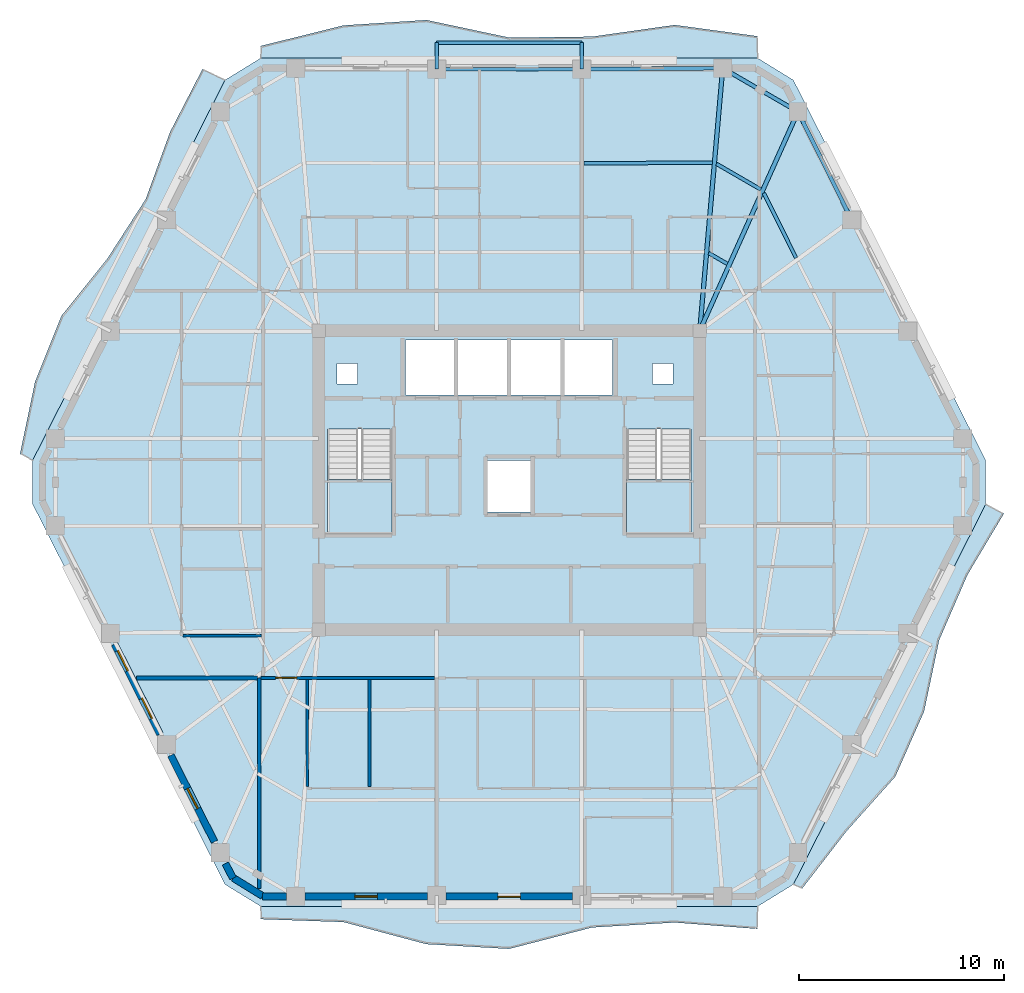
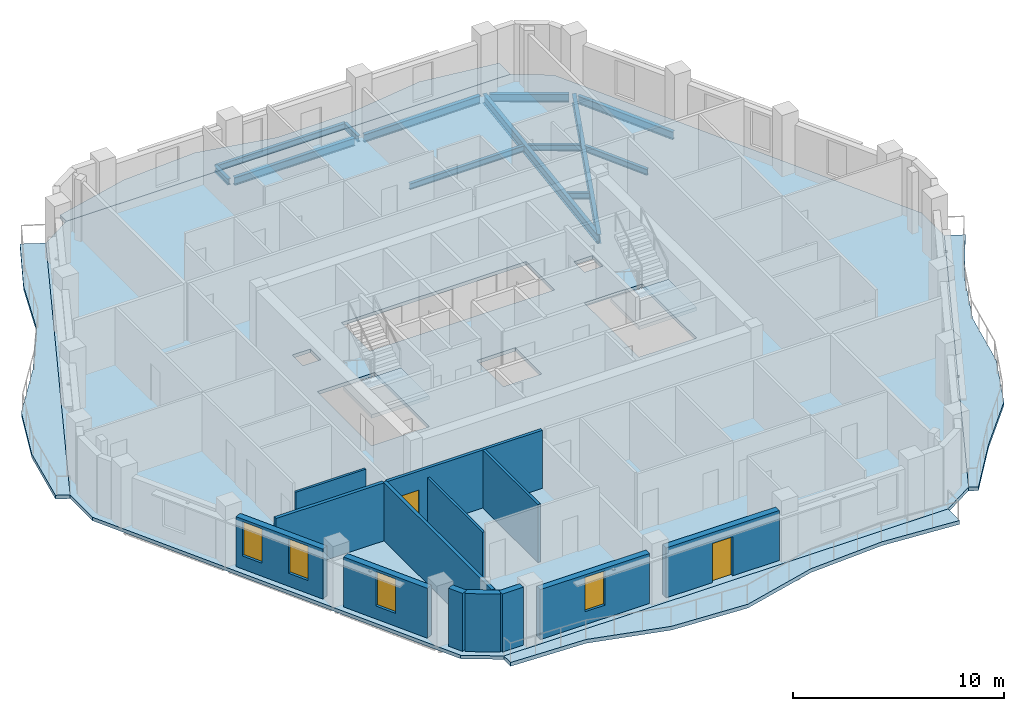
# One storey, part 3 of 11: 13 beams, 13 walls, 7 slabs, 4 windows, 2 doors, 6 openings, 2 elements without a shape of their own.
"""IFC4 building model written with IfcOpenShell, lengths in metres."""

from ifc_helpers import new_model, si_unit, direction, frame, frame_2d, origin, origin_2d, place, context, subcontext, project, spatial, polyline, rectangle, i_section, outline, extrude, material, layer, layer_set, material_profile, profile_set, type_object, element, fill, aggregate, save


model = new_model("IFC4")

# Units and contexts
model_context = context("Model", 3, precision=1e-05, world=origin(), true_north=direction((0.0, 1.0)))
body_context = subcontext(model_context, "Body", "Model", "MODEL_VIEW")
ifc_project = project(units=[si_unit("LENGTHUNIT", "METRE"), si_unit("AREAUNIT", "SQUARE_METRE"), si_unit("VOLUMEUNIT", "CUBIC_METRE"), si_unit("PLANEANGLEUNIT", "RADIAN"), si_unit("MASSUNIT", "GRAM", prefix="KILO")], contexts=[model_context])

# Site, building, storey
site_placement = place(None, origin())
site = spatial("IfcSite", under=ifc_project, at=site_placement, CompositionType="ELEMENT")
building_placement = place(site_placement, origin())
building = spatial("IfcBuilding", under=site, at=building_placement, Name="Cinnabar Lancet Tower", CompositionType="ELEMENT")
storey_placement = place(building_placement, frame((0.0, 0.0, 182.550048828125)))
storey = spatial("IfcBuildingStorey", under=building, at=storey_placement, Name="L48", CompositionType="ELEMENT", Elevation=182.550048828125)

# Beams
ifc_material_1 = material(Name="Structural steel S355", Category="steel")
ifc_material_profile_1 = material_profile(ifc_material_1, i_section(OverallWidth=0.17138671875, OverallDepth=0.35498046875, WebThickness=0.00732421875, FlangeThickness=0.011474609375, FilletRadius=0.01025390625, at=origin_2d()), Name="UKB 356x171x51")
ifc_profile_set_1 = profile_set([ifc_material_profile_1], Name="Structural steel S355")
beam_type_1 = type_object("IfcBeamType", Name="STR-BM-JST-356", PredefinedType="JOIST", material=ifc_profile_set_1)
beam_1_placement = place(storey_placement, frame((46.40087890625, 36.75, -0.3779296875), z_axis=(-0.444780091128, 0.895639810714, 0.0), x_axis=(-0.895639810714, -0.444780091128, 0.0)))
element("IfcBeam", 1, at=beam_1_placement, inside=storey, type_object=beam_type_1, Name="L48 Secondary Floor Joist 29", PredefinedType="JOIST", context=body_context, shape_type="SweptSolid", body=[
    extrude(i_section(OverallWidth=0.17138671875, OverallDepth=0.35498046875, WebThickness=0.00732421875, FlangeThickness=0.011474609375, FilletRadius=0.01025390625, at=origin_2d()), origin(), (0.0, 0.0, 1.0), 3.533935546875),
])
beam_2_placement = place(storey_placement, frame((44.677978515625, 40.089111328125, -0.3779296875), z_axis=(-0.865267839663, 0.501309849937, 0.0), x_axis=(-0.501309849937, -0.865267839663, 0.0)))
element("IfcBeam", 2, at=beam_2_placement, inside=storey, type_object=beam_type_1, Name="L48 Secondary Floor Joist 31", PredefinedType="JOIST", context=body_context, shape_type="SweptSolid", body=[
    extrude(i_section(OverallWidth=0.17138671875, OverallDepth=0.35498046875, WebThickness=0.00732421875, FlangeThickness=0.011474609375, FilletRadius=0.01025390625, at=origin_2d()), origin(), (0.0, 0.0, 1.0), 2.497314453125),
])
beam_3_placement = place(storey_placement, frame((43.047119140625, 36.45703125, -0.3779296875), z_axis=(-0.8651881055, 0.501447446998, 0.0), x_axis=(-0.501447446998, -0.8651881055, 0.0)))
element("IfcBeam", 3, at=beam_3_placement, inside=storey, type_object=beam_type_1, Name="L48 Secondary Floor Joist 32", PredefinedType="JOIST", context=body_context, shape_type="SweptSolid", body=[
    extrude(i_section(OverallWidth=0.17138671875, OverallDepth=0.35498046875, WebThickness=0.00732421875, FlangeThickness=0.011474609375, FilletRadius=0.01025390625, at=origin_2d()), origin(), (0.0, 0.0, 1.0), 1.05322265625),
])
beam_4_placement = place(storey_placement, frame((42.31201171875, 41.39794921875, -0.3779296875), z_axis=(-0.999986965561, -0.005105752523, 0.0), x_axis=(0.005105752523, -0.999986965561, 0.0)))
element("IfcBeam", 4, at=beam_4_placement, inside=storey, type_object=beam_type_1, Name="L48 Secondary Floor Joist 33", PredefinedType="JOIST", context=body_context, shape_type="SweptSolid", body=[
    extrude(i_section(OverallWidth=0.17138671875, OverallDepth=0.35498046875, WebThickness=0.00732421875, FlangeThickness=0.011474609375, FilletRadius=0.01025390625, at=origin_2d()), origin(), (0.0, 0.0, 1.0), 6.263916015625),
])
ifc_material_2 = material(Name="Structural steel S355", Category="steel")
ifc_material_profile_2 = material_profile(ifc_material_2, i_section(OverallWidth=0.1904296875, OverallDepth=0.45703125, WebThickness=0.009033203125, FlangeThickness=0.014404296875, FilletRadius=0.01025390625, at=origin_2d()), Name="UKB 457x191x74")
ifc_profile_set_2 = profile_set([ifc_material_profile_2], Name="Structural steel S355")
beam_type_2 = type_object("IfcBeamType", Name="STR-BM-SPN-457", PredefinedType="SPANDREL", material=ifc_profile_set_2)
beam_5_placement = place(storey_placement, frame((49.008056640625, 38.822998046875, -0.428955078125), z_axis=(-0.444932986899, 0.895563865489, 0.0), x_axis=(-0.895563865489, -0.444932986899, 0.0)))
element("IfcBeam", 5, at=beam_5_placement, inside=storey, type_object=beam_type_2, Name="L48 Perimeter Spandrel 11", PredefinedType="SPANDREL", context=body_context, shape_type="SweptSolid", body=[
    extrude(i_section(OverallWidth=0.1904296875, OverallDepth=0.45703125, WebThickness=0.009033203125, FlangeThickness=0.014404296875, FilletRadius=0.01025390625, at=origin_2d()), origin(), (0.0, 0.0, 1.0), 5.398681640625),
])
beam_6_placement = place(storey_placement, frame((46.279052734375, 44.007080078125, -0.428955078125), z_axis=(-0.865195717586, 0.501434313016, 0.0), x_axis=(-0.501434313016, -0.865195717586, 0.0)))
element("IfcBeam", 6, at=beam_6_placement, inside=storey, type_object=beam_type_2, Name="L48 Perimeter Spandrel 12", PredefinedType="SPANDREL", context=body_context, shape_type="SweptSolid", body=[
    extrude(i_section(OverallWidth=0.1904296875, OverallDepth=0.45703125, WebThickness=0.009033203125, FlangeThickness=0.014404296875, FilletRadius=0.01025390625, at=origin_2d()), origin(), (0.0, 0.0, 1.0), 3.7470703125),
])
beam_7_placement = place(storey_placement, frame((42.571044921875, 46.009033203125, -0.428955078125), z_axis=(-0.999970401924, -0.007693846685, 0.0), x_axis=(0.007693846685, -0.999970401924, 0.0)))
element("IfcBeam", 7, at=beam_7_placement, inside=storey, type_object=beam_type_2, Name="L48 Perimeter Spandrel 13", PredefinedType="SPANDREL", context=body_context, shape_type="SweptSolid", body=[
    extrude(i_section(OverallWidth=0.1904296875, OverallDepth=0.45703125, WebThickness=0.009033203125, FlangeThickness=0.014404296875, FilletRadius=0.01025390625, at=origin_2d()), origin(), (0.0, 0.0, 1.0), 6.378173828125),
])
beam_8_placement = place(storey_placement, frame((35.693115234375, 45.9580078125, -0.428955078125), z_axis=(-1.0, 0.0, 0.0), x_axis=(0.0, -1.0, 0.0)))
element("IfcBeam", 8, at=beam_8_placement, inside=storey, type_object=beam_type_2, Name="L48 Perimeter Spandrel 14", PredefinedType="SPANDREL", context=body_context, shape_type="SweptSolid", body=[
    extrude(i_section(OverallWidth=0.1904296875, OverallDepth=0.45703125, WebThickness=0.009033203125, FlangeThickness=0.014404296875, FilletRadius=0.01025390625, at=origin_2d()), origin(), (0.0, 0.0, 1.0), 6.586181640625),
])
ifc_material_3 = material(Name="Structural steel S355", Category="steel")
ifc_material_profile_3 = material_profile(ifc_material_3, i_section(OverallWidth=0.209228515625, OverallDepth=0.533203125, WebThickness=0.010009765625, FlangeThickness=0.015625, FilletRadius=0.0126953125, at=origin_2d()), Name="UKB 533x210x92")
ifc_profile_set_3 = profile_set([ifc_material_profile_3], Name="Structural steel S355")
beam_type_3 = type_object("IfcBeamType", Name="STR-BM-UKB533-92", PredefinedType="BEAM", material=ifc_profile_set_3)
beam_9_placement = place(storey_placement, frame((46.4951171875, 43.882080078125, -0.467041015625), z_axis=(-0.409527011626, -0.912297992297, 0.0), x_axis=(0.912297992297, -0.409527011626, 0.0)))
element("IfcBeam", 9, at=beam_9_placement, inside=storey, type_object=beam_type_3, Name="L48 Primary Floor Girder 12", PredefinedType="BEAM", context=body_context, shape_type="SweptSolid", body=[
    extrude(i_section(OverallWidth=0.209228515625, OverallDepth=0.533203125, WebThickness=0.010009765625, FlangeThickness=0.015625, FilletRadius=0.0126953125, at=origin_2d()), origin(), (0.0, 0.0, 1.0), 11.708984375),
])
beam_10_placement = place(storey_placement, frame((42.821044921875, 46.010986328125, -0.467041015625), z_axis=(-0.087176841412, -0.996192851973, 0.0), x_axis=(0.996192851973, -0.087176841412, 0.0)))
element("IfcBeam", 10, at=beam_10_placement, inside=storey, type_object=beam_type_3, Name="L48 Primary Floor Girder 13", PredefinedType="BEAM", context=body_context, shape_type="SweptSolid", body=[
    extrude(i_section(OverallWidth=0.209228515625, OverallDepth=0.533203125, WebThickness=0.010009765625, FlangeThickness=0.015625, FilletRadius=0.0126953125, at=origin_2d()), origin(), (0.0, 0.0, 1.0), 12.860107421875),
])
ifc_material_4 = material(Name="Structural steel S355", Category="steel")
ifc_material_profile_4 = material_profile(ifc_material_4, i_section(OverallWidth=0.17138671875, OverallDepth=0.35498046875, WebThickness=0.00732421875, FlangeThickness=0.011474609375, FilletRadius=0.01025390625, at=origin_2d()), Name="UKB 356x171x51")
ifc_profile_set_4 = profile_set([ifc_material_profile_4], Name="Structural steel S355")
beam_type_4 = type_object("IfcBeamType", Name="STR-BM-WAV-OUT", PredefinedType="BEAM", material=ifc_profile_set_4)
for number, where, z_axis, x_axis, name in (
    (11, (35.943115234375, 45.9580078125, -0.39697265625), (0.0, 1.0, 0.0), (-1.0, 0.0, 0.0), "L48 Face 4 Balcony Outlooker A"),
    (12, (28.85693359375, 45.9580078125, -0.39697265625), (0.0, 1.0, 0.0), (-1.0, 0.0, 0.0), "L48 Face 4 Balcony Outlooker B"),
):
    element("IfcBeam", number, at=place(storey_placement, frame(where, z_axis=z_axis, x_axis=x_axis)), inside=storey, type_object=beam_type_4, Name=name, PredefinedType="BEAM", context=body_context, shape_type="SweptSolid", body=[
        extrude(i_section(OverallWidth=0.17138671875, OverallDepth=0.35498046875, WebThickness=0.00732421875, FlangeThickness=0.011474609375, FilletRadius=0.01025390625, at=origin_2d()), origin(), (0.0, 0.0, 1.0), 1.300048828125),
    ])
ifc_material_5 = material(Name="Structural steel S355", Category="steel")
ifc_material_profile_5 = material_profile(ifc_material_5, i_section(OverallWidth=0.17138671875, OverallDepth=0.35498046875, WebThickness=0.00732421875, FlangeThickness=0.011474609375, FilletRadius=0.01025390625, at=origin_2d()), Name="UKB 356x171x51")
ifc_profile_set_5 = profile_set([ifc_material_profile_5], Name="Structural steel S355")
beam_type_5 = type_object("IfcBeamType", Name="STR-BM-WAV-TRIM", PredefinedType="SPANDREL", material=ifc_profile_set_5)
beam_11_placement = place(storey_placement, frame((35.943115234375, 47.258056640625, -0.39697265625), z_axis=(-1.0, 0.0, 0.0), x_axis=(0.0, -1.0, 0.0)))
element("IfcBeam", 13, at=beam_11_placement, inside=storey, type_object=beam_type_5, Name="L48 Face 4 Balcony Edge Trimmer", PredefinedType="SPANDREL", context=body_context, shape_type="SweptSolid", body=[
    extrude(i_section(OverallWidth=0.17138671875, OverallDepth=0.35498046875, WebThickness=0.00732421875, FlangeThickness=0.011474609375, FilletRadius=0.01025390625, at=origin_2d()), origin(), (0.0, 0.0, 1.0), 7.086181640625),
])

# Stair, slab
ifc_material_6 = material(Name="Concrete C40/50", Category="concrete")
stair_type = type_object("IfcStairType", Name="ST-CORE", PredefinedType="HALF_TURN_STAIR", material=ifc_material_6)
stair_1_placement = place(storey_placement, origin())
stair_1 = element("IfcStair", 14, at=stair_1_placement, inside=storey, type_object=stair_type, Name="L48 ST-1", PredefinedType="HALF_TURN_STAIR")
ifc_material_7 = material(Name="Concrete C40/50", Category="concrete")
ifc_layer_1 = layer(ifc_material_7, 0.199951171875)
ifc_layer_set_1 = layer_set([ifc_layer_1], Name="Concrete C40/50")
slab_type_1 = type_object("IfcSlabType", Name="LANDING-CORE", PredefinedType="LANDING", material=ifc_layer_set_1)
slab_1_placement = place(storey_placement, frame((0.0, 0.0, 1.574951171875)))
slab_1 = element("IfcSlab", 15, at=slab_1_placement, type_object=slab_type_1, Name="ST-1 landing 1", PredefinedType="LANDING", context=body_context, shape_type="SweptSolid", body=[
    extrude(outline(polyline([(23.52490234375, 25.925048828125), (23.52490234375, 23.25), (26.675048828125, 23.25), (26.675048828125, 25.925048828125), (23.52490234375, 25.925048828125)])), origin(), (0.0, 0.0, 1.0), 0.199951171875),
])
aggregate(stair_1, [slab_1])

stair_2_placement = place(storey_placement, origin())
stair_2 = element("IfcStair", 16, at=stair_2_placement, inside=storey, type_object=stair_type, Name="L48 ST-2", PredefinedType="HALF_TURN_STAIR")
slab_2_placement = place(storey_placement, frame((0.0, 0.0, 1.574951171875)))
slab_2 = element("IfcSlab", 17, at=slab_2_placement, type_object=slab_type_1, Name="ST-2 landing 1", PredefinedType="LANDING", context=body_context, shape_type="SweptSolid", body=[
    extrude(outline(polyline([(38.125, 25.925048828125), (38.125, 23.25), (41.27490234375, 23.25), (41.27490234375, 25.925048828125), (38.125, 25.925048828125)])), origin(), (0.0, 0.0, 1.0), 0.199951171875),
])
aggregate(stair_2, [slab_2])

# Slabs
ifc_material_8 = material(Name="Concrete C40/50", Category="concrete")
ifc_layer_2 = layer(ifc_material_8, 0.199951171875)
ifc_layer_set_2 = layer_set([ifc_layer_2], Name="Concrete C40/50")
slab_type_2 = type_object("IfcSlabType", Name="STR-SLB-FLR-200", PredefinedType="FLOOR", material=ifc_layer_set_2)
slab_3_placement = place(storey_placement, frame((0.0, 0.0, -0.199951171875)))
element("IfcSlab", 18, at=slab_3_placement, inside=storey, type_object=slab_type_2, Name="L48 Structural Floor Slab", PredefinedType="FLOOR", context=body_context, shape_type="SweptSolid", body=[
    extrude(outline(polyline([(18.530029296875, 6.1708984375), (20.27197265625, 5.10009765625), (44.528076171875, 5.10009765625), (46.27001953125, 6.1708984375), (55.657958984375, 24.72900390625), (55.657958984375, 26.87109375), (46.27001953125, 45.428955078125), (44.528076171875, 46.5), (20.27197265625, 46.5), (18.530029296875, 45.428955078125), (9.14208984375, 26.87109375), (9.14208984375, 24.72900390625), (18.530029296875, 6.1708984375)]), holes=[polyline([(23.52490234375, 23.25), (26.675048828125, 23.25), (26.675048828125, 28.3994140625), (23.52490234375, 28.3994140625), (23.52490234375, 23.25)]), polyline([(38.125, 23.25), (41.27490234375, 23.25), (41.27490234375, 28.3994140625), (38.125, 28.3994140625), (38.125, 23.25)]), polyline([(27.35009765625, 30.050048828125), (37.449951171875, 30.050048828125), (37.449951171875, 32.75), (27.35009765625, 32.75), (27.35009765625, 30.050048828125)]), polyline([(31.35009765625, 24.35009765625), (33.449951171875, 24.35009765625), (33.449951171875, 26.85009765625), (31.35009765625, 26.85009765625), (31.35009765625, 24.35009765625)]), polyline([(24.0, 30.60009765625), (25.0, 30.60009765625), (25.0, 31.60009765625), (24.0, 31.60009765625), (24.0, 30.60009765625)]), polyline([(39.39990234375, 30.60009765625), (40.39990234375, 30.60009765625), (40.39990234375, 31.60009765625), (39.39990234375, 31.60009765625), (39.39990234375, 30.60009765625)])]), origin(), (0.0, 0.0, 1.0), 0.199951171875),
])
ifc_material_9 = material(Name="Concrete C45/55", Category="concrete")
ifc_layer_3 = layer(ifc_material_9, 0.219970703125)
ifc_layer_set_3 = layer_set([ifc_layer_3], Name="Concrete C45/55")
slab_type_3 = type_object("IfcSlabType", Name="STR-SLB-WAV-220", PredefinedType="FLOOR", material=ifc_layer_set_3)
slab_4_placement = place(storey_placement, frame((0.0, 0.0, -0.219970703125)))
element("IfcSlab", 19, at=slab_4_placement, inside=storey, type_object=slab_type_3, Name="L48 Face 1 Undulating Wave Balcony Slab", PredefinedType="FLOOR", context=body_context, shape_type="SweptSolid", body=[
    extrude(outline(polyline([(20.27197265625, 5.10009765625), (20.27197265625, 4.47607421875), (24.31494140625, 4.333984375), (28.35693359375, 3.256103515625), (32.39990234375, 3.02490234375), (36.443115234375, 4.069091796875), (40.485107421875, 4.31201171875), (44.528076171875, 4.0009765625), (44.528076171875, 5.10009765625), (20.27197265625, 5.10009765625)])), origin(), (0.0, 0.0, 1.0), 0.219970703125),
])
slab_5_placement = place(storey_placement, frame((0.0, 0.0, -0.219970703125)))
element("IfcSlab", 20, at=slab_5_placement, inside=storey, type_object=slab_type_3, Name="L48 Face 2 Undulating Wave Balcony Slab", PredefinedType="FLOOR", context=body_context, shape_type="SweptSolid", body=[
    extrude(outline(polyline([(46.27001953125, 6.1708984375), (46.68896484375, 5.958984375), (48.84912109375, 8.7509765625), (51.239013671875, 11.426025390625), (52.64501953125, 14.60009765625), (53.389892578125, 18.10693359375), (54.77197265625, 21.29296875), (56.550048828125, 24.278076171875), (55.657958984375, 24.72900390625), (46.27001953125, 6.1708984375)])), origin(), (0.0, 0.0, 1.0), 0.219970703125),
])
slab_6_placement = place(storey_placement, frame((0.0, 0.0, -0.219970703125)))
element("IfcSlab", 21, at=slab_6_placement, inside=storey, type_object=slab_type_3, Name="L48 Face 4 Undulating Wave Balcony Slab", PredefinedType="FLOOR", context=body_context, shape_type="SweptSolid", body=[
    extrude(outline(polyline([(44.528076171875, 46.5), (44.528076171875, 47.569091796875), (40.485107421875, 48.118896484375), (36.443115234375, 47.548095703125), (32.39990234375, 47.5029296875), (28.35693359375, 48.361083984375), (24.31494140625, 48.096923828125), (20.27197265625, 47.093994140625), (20.27197265625, 46.5), (44.528076171875, 46.5)])), origin(), (0.0, 0.0, 1.0), 0.219970703125),
])
slab_7_placement = place(storey_placement, frame((0.0, 0.0, -0.219970703125)))
element("IfcSlab", 22, at=slab_7_placement, inside=storey, type_object=slab_type_3, Name="L48 Face 5 Undulating Wave Balcony Slab", PredefinedType="FLOOR", context=body_context, shape_type="SweptSolid", body=[
    extrude(outline(polyline([(18.530029296875, 45.428955078125), (17.43896484375, 45.98095703125), (15.85107421875, 42.89990234375), (14.659912109375, 39.617919921875), (12.77099609375, 36.68896484375), (10.552001953125, 33.927001953125), (9.257080078125, 30.697021484375), (8.52392578125, 27.18408203125), (9.14208984375, 26.87109375), (18.530029296875, 45.428955078125)])), origin(), (0.0, 0.0, 1.0), 0.219970703125),
])

# Wall, opening, door
ifc_material_10 = material(Name="Acoustic twin-stud gypsum partition", Category="gypsum")
ifc_layer_4 = layer(ifc_material_10, 0.159912109375)
ifc_layer_set_4 = layer_set([ifc_layer_4], Name="Acoustic twin-stud gypsum partition")
wall_type_1 = type_object("IfcWallType", Name="ARC-WL-CORR-160", PredefinedType="PARTITIONING", material=ifc_layer_set_4)
wall_1_placement = place(storey_placement, frame((20.294921875, 16.25, 0.0), z_axis=(0.0, 0.0, 1.0), x_axis=(1.0, 0.0, 0.0)))
wall_1 = element("IfcWall", 23, at=wall_1_placement, inside=storey, type_object=wall_type_1, Name="L48 Unit S01 Corridor Wall", PredefinedType="PARTITIONING", context=body_context, shape_type="SweptSolid", body=[
    extrude(rectangle(XDim=8.467041015625, YDim=0.159912109375, at=frame_2d((4.2333984375, 0.0))), origin(), (0.0, 0.0, 1.0), 3.349853515625),
])
opening_1_placement = place(wall_1_placement, frame((0.705078125, 0.0, 0.0)))
opening_1 = element("IfcOpeningElement", 24, at=opening_1_placement, cuts=wall_1, Name="Opening UD-01", PredefinedType="OPENING", context=body_context, shape_type="SweptSolid", body=[
    extrude(rectangle(XDim=1.02001953125, YDim=2.25, at=frame_2d((0.510009765625, 1.125))), frame((0.0, 0.08984375, 0.0), z_axis=(0.0, -1.0, 0.0), x_axis=(1.0, 0.0, 0.0)), (0.0, 0.0, 1.0), 0.179931640625),
])
ifc_material_11 = material(Name="Solid timber fire-rated apartment entrance door", Category="wood")
door_type_1 = type_object("IfcDoorType", Name="ARC-DR-UNIT", OperationType="NOTDEFINED", PredefinedType="DOOR", material=ifc_material_11)
door_1_placement = place(opening_1_placement, origin())
door_1 = element("IfcDoor", 25, at=door_1_placement, inside=storey, type_object=door_type_1, Name="DR-L48-S01-ENT", OperationType="SINGLE_SWING_RIGHT", OverallHeight=2.25, OverallWidth=1.02001953125, PredefinedType="DOOR", context=body_context, shape_type="SweptSolid", body=[
    extrude(rectangle(XDim=1.02001953125, YDim=2.25, at=frame_2d((0.510009765625, 1.125))), frame((0.0, 0.02490234375, 0.0), z_axis=(0.0, -1.0, 0.0), x_axis=(1.0, 0.0, 0.0)), (0.0, 0.0, 1.0), 0.050048828125),
])
fill(opening_1, door_1)

# Walls
ifc_material_12 = material(Name="Fire-rated twin-frame acoustic drywall", Category="gypsum")
ifc_layer_5 = layer(ifc_material_12, 0.179931640625)
ifc_layer_set_5 = layer_set([ifc_layer_5], Name="Fire-rated twin-frame acoustic drywall")
wall_type_2 = type_object("IfcWallType", Name="ARC-WL-PARTY-180", PredefinedType="PARTITIONING", material=ifc_layer_set_5)
wall_2_placement = place(storey_placement, frame((20.199951171875, 5.968017578125, 0.0), z_axis=(0.0, 0.0, 1.0), x_axis=(0.0, 1.0, 0.0)))
element("IfcWall", 26, at=wall_2_placement, inside=storey, type_object=wall_type_2, Name="PW-L48-SPTY-202", PredefinedType="PARTITIONING", context=body_context, shape_type="SweptSolid", body=[
    extrude(rectangle(XDim=10.281982421875, YDim=0.179931640625, at=frame_2d((5.14111328125, 0.0))), origin(), (0.0, 0.0, 1.0), 3.349853515625),
])
wall_3_placement = place(storey_placement, frame((14.2109375, 16.25, 0.0), z_axis=(0.0, 0.0, 1.0), x_axis=(1.0, 0.0, 0.0)))
element("IfcWall", 27, at=wall_3_placement, inside=storey, type_object=wall_type_2, Name="PW-L48-WSB", PredefinedType="PARTITIONING", context=body_context, shape_type="SweptSolid", body=[
    extrude(rectangle(XDim=5.89404296875, YDim=0.179931640625, at=frame_2d((2.947021484375, 0.0))), origin(), (0.0, 0.0, 1.0), 3.349853515625),
])
ifc_material_13 = material(Name="Gypsum plasterboard stud partition", Category="gypsum")
ifc_layer_6 = layer(ifc_material_13, 0.125)
ifc_layer_set_6 = layer_set([ifc_layer_6], Name="Gypsum plasterboard stud partition")
wall_type_3 = type_object("IfcWallType", Name="ARC-WL-UNIT-125", PredefinedType="PARTITIONING", material=ifc_layer_set_6)
wall_4_placement = place(storey_placement, frame((22.550048828125, 10.9609375, 0.0), z_axis=(0.0, 0.0, 1.0), x_axis=(0.0, 1.0, 0.0)))
element("IfcWall", 28, at=wall_4_placement, inside=storey, type_object=wall_type_3, Name="UW-L48-S01-FOYE", PredefinedType="PARTITIONING", context=body_context, shape_type="SweptSolid", body=[
    extrude(rectangle(XDim=5.2041015625, YDim=0.125, at=frame_2d((2.60205078125, 0.0))), origin(), (0.0, 0.0, 1.0), 2.806884765625),
])
wall_5_placement = place(storey_placement, frame((16.485107421875, 18.300048828125, 0.0), z_axis=(0.0, 0.0, 1.0), x_axis=(1.0, 0.0, 0.0)))
element("IfcWall", 29, at=wall_5_placement, inside=storey, type_object=wall_type_3, Name="UW-L48-W01-FOYN", PredefinedType="PARTITIONING", context=body_context, shape_type="SweptSolid", body=[
    extrude(rectangle(XDim=3.829833984375, YDim=0.125, at=frame_2d((1.9150390625, 0.0))), origin(), (0.0, 0.0, 1.0), 2.806884765625),
])
ifc_material_14 = material(Name="Moisture-resistant cement-board plumbing wall", Category="masonry")
ifc_layer_7 = layer(ifc_material_14, 0.139892578125)
ifc_layer_set_7 = layer_set([ifc_layer_7], Name="Moisture-resistant cement-board plumbing wall")
wall_type_4 = type_object("IfcWallType", Name="ARC-WL-WET-140", PredefinedType="PLUMBINGWALL", material=ifc_layer_set_7)
wall_6_placement = place(storey_placement, frame((25.576904296875, 10.9609375, 0.0), z_axis=(0.0, 0.0, 1.0), x_axis=(0.0, 1.0, 0.0)))
element("IfcWall", 30, at=wall_6_placement, inside=storey, type_object=wall_type_4, Name="UW-L48-S01-KDV", PredefinedType="PLUMBINGWALL", context=body_context, shape_type="SweptSolid", body=[
    extrude(rectangle(XDim=5.2041015625, YDim=0.139892578125, at=frame_2d((2.60205078125, 0.0))), origin(), (0.0, 0.0, 1.0), 3.349853515625),
])
ifc_material_15 = material(Name="Cinnabar red clay brick", Category="masonry")
ifc_layer_8 = layer(ifc_material_15, 0.340087890625)
ifc_layer_set_8 = layer_set([ifc_layer_8], Name="Cinnabar red clay brick")
wall_type_5 = type_object("IfcWallType", Name="ENV-WL-BRK-RED-340", PredefinedType="STANDARD", material=ifc_layer_set_8)
wall_7_placement = place(storey_placement, frame((18.93798828125, 6.48388671875, 0.0), z_axis=(0.0, 0.0, 1.0), x_axis=(0.851778214877, -0.523902541185, 0.0)))
element("IfcWall", 31, at=wall_7_placement, inside=storey, type_object=wall_type_5, Name="L48 Chamfered Corner Brick Pier 1.1", PredefinedType="STANDARD", context=body_context, shape_type="SweptSolid", body=[
    extrude(rectangle(XDim=1.677734375, YDim=0.340087890625, at=frame_2d((0.8388671875, 0.0))), origin(), (0.0, 0.0, 1.0), 3.349853515625),
])
wall_8_placement = place(storey_placement, frame((20.362060546875, 5.580078125, 0.0), z_axis=(0.0, 0.0, 1.0), x_axis=(1.0, 0.0, 0.0)))
element("IfcWall", 32, at=wall_8_placement, inside=storey, type_object=wall_type_5, Name="L48 Face 1 Masonry Bay Wall 1", PredefinedType="STANDARD", context=body_context, shape_type="SweptSolid", body=[
    extrude(rectangle(XDim=1.162841796875, YDim=0.340087890625, at=frame_2d((0.58154296875, 0.0))), origin(), (0.0, 0.0, 1.0), 3.349853515625),
])

# Wall, opening, window
wall_9_placement = place(storey_placement, frame((22.43310546875, 5.580078125, 0.0), z_axis=(0.0, 0.0, 1.0), x_axis=(1.0, 0.0, 0.0)))
wall_9 = element("IfcWall", 33, at=wall_9_placement, inside=storey, type_object=wall_type_5, Name="L48 Face 1 Masonry Bay Wall 2", PredefinedType="STANDARD", context=body_context, shape_type="SweptSolid", body=[
    extrude(rectangle(XDim=5.969970703125, YDim=0.340087890625, at=frame_2d((2.98486328125, 0.0))), origin(), (0.0, 0.0, 1.0), 2.883056640625),
])
opening_2_placement = place(wall_9_placement, frame((2.43505859375, 0.0, 0.75)))
opening_2 = element("IfcOpeningElement", 34, at=opening_2_placement, cuts=wall_9, Name="Opening WN-04", PredefinedType="OPENING", context=body_context, shape_type="SweptSolid", body=[
    extrude(rectangle(XDim=1.10009765625, YDim=1.98291015625, at=frame_2d((0.550048828125, 0.991455078125))), frame((0.0, 0.179931640625, 0.0), z_axis=(0.0, -1.0, 0.0), x_axis=(1.0, 0.0, 0.0)), (0.0, 0.0, 1.0), 0.360107421875),
])
ifc_material_16 = material(Name="Thermally broken bronze-anodized aluminium tall lancet window", Category="aluminium")
window_type = type_object("IfcWindowType", Name="ENV-WN-LANCET-1100", PartitioningType="SINGLE_PANEL", PredefinedType="WINDOW", material=ifc_material_16)
window_1_placement = place(opening_2_placement, origin())
window_1 = element("IfcWindow", 35, at=window_1_placement, inside=storey, type_object=window_type, Name="L48 Face 1 Gothic Lancet Window 2", OverallHeight=1.98291015625, OverallWidth=1.10009765625, PartitioningType="SINGLE_PANEL", PredefinedType="WINDOW", context=body_context, shape_type="SweptSolid", body=[
    extrude(rectangle(XDim=1.10009765625, YDim=1.98291015625, at=frame_2d((0.550048828125, 0.991455078125))), frame((0.0, 0.030029296875, 0.0), z_axis=(0.0, -1.0, 0.0), x_axis=(1.0, 0.0, 0.0)), (0.0, 0.0, 1.0), 0.06005859375),
])
fill(opening_2, window_1)

# Wall, opening, door
wall_10_placement = place(storey_placement, frame((29.31103515625, 5.580078125, 0.0), z_axis=(0.0, 0.0, 1.0), x_axis=(1.0, 0.0, 0.0)))
wall_10 = element("IfcWall", 36, at=wall_10_placement, inside=storey, type_object=wall_type_5, Name="L48 Face 1 Masonry Bay Wall 3", PredefinedType="STANDARD", context=body_context, shape_type="SweptSolid", body=[
    extrude(rectangle(XDim=6.177978515625, YDim=0.340087890625, at=frame_2d((3.0888671875, 0.0))), origin(), (0.0, 0.0, 1.0), 2.883056640625),
])
opening_3_placement = place(wall_10_placement, frame((2.5390625, 0.0, 0.0)))
opening_3 = element("IfcOpeningElement", 37, at=opening_3_placement, cuts=wall_10, Name="Opening TD-01", PredefinedType="OPENING", context=body_context, shape_type="SweptSolid", body=[
    extrude(rectangle(XDim=1.10009765625, YDim=2.25, at=frame_2d((0.550048828125, 1.125))), frame((0.0, 0.179931640625, 0.0), z_axis=(0.0, -1.0, 0.0), x_axis=(1.0, 0.0, 0.0)), (0.0, 0.0, 1.0), 0.360107421875),
])
ifc_material_17 = material(Name="Thermally broken low-E glazed balcony terrace door", Category="wood")
door_type_2 = type_object("IfcDoorType", Name="ARC-DR-BALC", OperationType="NOTDEFINED", PredefinedType="DOOR", material=ifc_material_17)
door_2_placement = place(opening_3_placement, origin())
door_2 = element("IfcDoor", 38, at=door_2_placement, inside=storey, type_object=door_type_2, Name="L48 Face 1 Glazed Terrace Door", OperationType="SINGLE_SWING_LEFT", OverallHeight=2.25, OverallWidth=1.10009765625, PredefinedType="DOOR", context=body_context, shape_type="SweptSolid", body=[
    extrude(rectangle(XDim=1.10009765625, YDim=2.25, at=frame_2d((0.550048828125, 1.125))), frame((0.0, 0.02490234375, 0.0), z_axis=(0.0, -1.0, 0.0), x_axis=(1.0, 0.0, 0.0)), (0.0, 0.0, 1.0), 0.050048828125),
])
fill(opening_3, door_2)

# Wall, openings, windows
wall_11_placement = place(storey_placement, frame((13.135009765625, 17.89794921875, 0.0), z_axis=(0.0, 0.0, 1.0), x_axis=(0.451544279509, -0.892248711763, 0.0)))
wall_11 = element("IfcWall", 39, at=wall_11_placement, inside=storey, type_object=wall_type_5, Name="L48 Face 6 Masonry Bay Wall 3", PredefinedType="STANDARD", context=body_context, shape_type="SweptSolid", body=[
    extrude(rectangle(XDim=4.909912109375, YDim=0.340087890625, at=frame_2d((2.455078125, 0.0))), origin(), (0.0, 0.0, 1.0), 2.883056640625),
])
opening_4_placement = place(wall_11_placement, frame((0.35302734375, 0.0, 0.75)))
opening_4 = element("IfcOpeningElement", 40, at=opening_4_placement, cuts=wall_11, Name="Opening WN-04", PredefinedType="OPENING", context=body_context, shape_type="SweptSolid", body=[
    extrude(rectangle(XDim=1.10009765625, YDim=1.98291015625, at=frame_2d((0.550048828125, 0.991455078125))), frame((0.0, 0.179931640625, 0.0), z_axis=(0.0, -1.0, 0.0), x_axis=(1.0, 0.0, 0.0)), (0.0, 0.0, 1.0), 0.360107421875),
])
opening_5_placement = place(wall_11_placement, frame((2.958984375, 0.0, 0.75)))
opening_5 = element("IfcOpeningElement", 41, at=opening_5_placement, cuts=wall_11, Name="Opening WN-04", PredefinedType="OPENING", context=body_context, shape_type="SweptSolid", body=[
    extrude(rectangle(XDim=1.10009765625, YDim=1.98291015625, at=frame_2d((0.550048828125, 0.991455078125))), frame((0.0, 0.179931640625, 0.0), z_axis=(0.0, -1.0, 0.0), x_axis=(1.0, 0.0, 0.0)), (0.0, 0.0, 1.0), 0.360107421875),
])
window_2_placement = place(opening_4_placement, origin())
window_2 = element("IfcWindow", 42, at=window_2_placement, inside=storey, type_object=window_type, Name="L48 Face 6 Gothic Lancet Window 3", OverallHeight=1.98291015625, OverallWidth=1.10009765625, PartitioningType="SINGLE_PANEL", PredefinedType="WINDOW", context=body_context, shape_type="SweptSolid", body=[
    extrude(rectangle(XDim=1.10009765625, YDim=1.98291015625, at=frame_2d((0.550048828125, 0.991455078125))), frame((0.0, 0.030029296875, 0.0), z_axis=(0.0, -1.0, 0.0), x_axis=(1.0, 0.0, 0.0)), (0.0, 0.0, 1.0), 0.06005859375),
])
fill(opening_4, window_2)
window_3_placement = place(opening_5_placement, origin())
window_3 = element("IfcWindow", 43, at=window_3_placement, inside=storey, type_object=window_type, Name="L48 Split-Bay Gothic Lancet Window 152", OverallHeight=1.98291015625, OverallWidth=1.10009765625, PartitioningType="SINGLE_PANEL", PredefinedType="WINDOW", context=body_context, shape_type="SweptSolid", body=[
    extrude(rectangle(XDim=1.10009765625, YDim=1.98291015625, at=frame_2d((0.550048828125, 0.991455078125))), frame((0.0, 0.030029296875, 0.0), z_axis=(0.0, -1.0, 0.0), x_axis=(1.0, 0.0, 0.0)), (0.0, 0.0, 1.0), 0.06005859375),
])
fill(opening_5, window_3)

# Wall, opening, window
wall_12_placement = place(storey_placement, frame((15.881103515625, 12.469970703125, 0.0), z_axis=(0.0, 0.0, 1.0), x_axis=(0.451522864045, -0.892259549259, 0.0)))
wall_12 = element("IfcWall", 44, at=wall_12_placement, inside=storey, type_object=wall_type_5, Name="L48 Face 6 Masonry Bay Wall 4", PredefinedType="STANDARD", context=body_context, shape_type="SweptSolid", body=[
    extrude(rectangle(XDim=4.730712890625, YDim=0.340087890625, at=frame_2d((2.365234375, 0.0))), origin(), (0.0, 0.0, 1.0), 2.883056640625),
])
opening_6_placement = place(wall_12_placement, frame((1.81494140625, 0.0, 0.75)))
opening_6 = element("IfcOpeningElement", 45, at=opening_6_placement, cuts=wall_12, Name="Opening WN-04", PredefinedType="OPENING", context=body_context, shape_type="SweptSolid", body=[
    extrude(rectangle(XDim=1.10009765625, YDim=1.98291015625, at=frame_2d((0.550048828125, 0.991455078125))), frame((0.0, 0.179931640625, 0.0), z_axis=(0.0, -1.0, 0.0), x_axis=(1.0, 0.0, 0.0)), (0.0, 0.0, 1.0), 0.360107421875),
])
window_4_placement = place(opening_6_placement, origin())
window_4 = element("IfcWindow", 46, at=window_4_placement, inside=storey, type_object=window_type, Name="L48 Face 6 Gothic Lancet Window 4", OverallHeight=1.98291015625, OverallWidth=1.10009765625, PartitioningType="SINGLE_PANEL", PredefinedType="WINDOW", context=body_context, shape_type="SweptSolid", body=[
    extrude(rectangle(XDim=1.10009765625, YDim=1.98291015625, at=frame_2d((0.550048828125, 0.991455078125))), frame((0.0, 0.030029296875, 0.0), z_axis=(0.0, -1.0, 0.0), x_axis=(1.0, 0.0, 0.0)), (0.0, 0.0, 1.0), 0.06005859375),
])
fill(opening_6, window_4)

# Wall
wall_13_placement = place(storey_placement, frame((18.553955078125, 7.18701171875, 0.0), z_axis=(0.0, 0.0, 1.0), x_axis=(0.451691568309, -0.892174157392, 0.0)))
element("IfcWall", 47, at=wall_13_placement, inside=storey, type_object=wall_type_5, Name="L48 Face 6 Masonry Bay Wall 5", PredefinedType="STANDARD", context=body_context, shape_type="SweptSolid", body=[
    extrude(rectangle(XDim=0.805908203125, YDim=0.340087890625, at=frame_2d((0.40283203125, 0.0))), origin(), (0.0, 0.0, 1.0), 3.349853515625),
])

save(model, "model.ifc")
